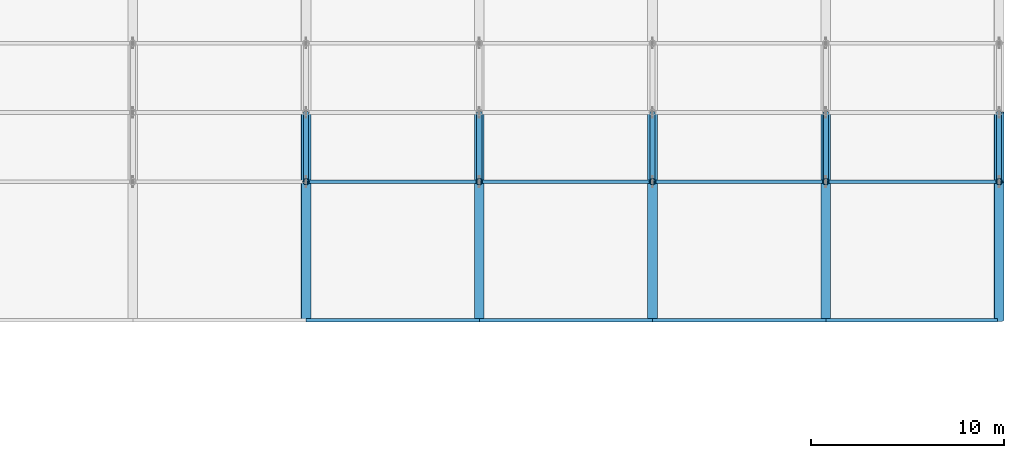
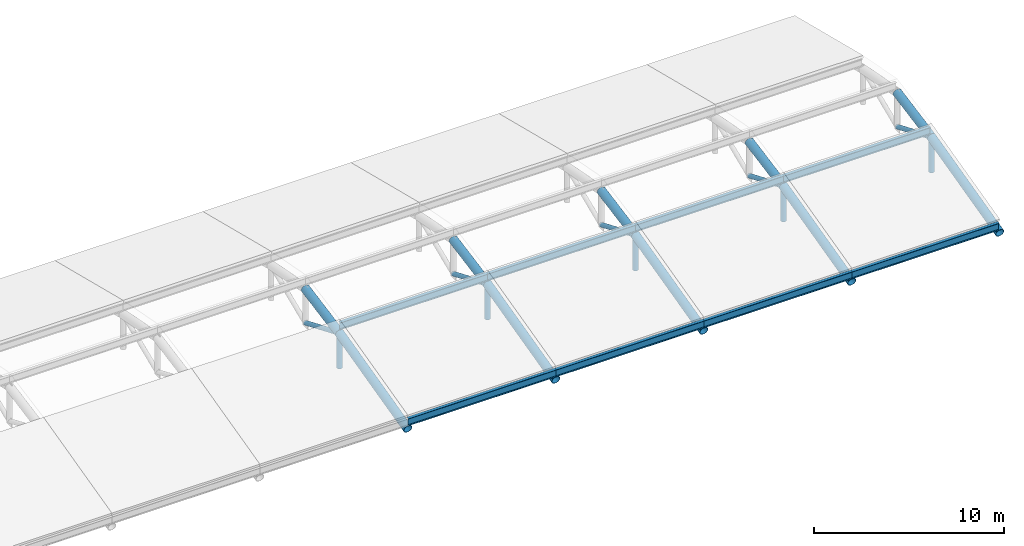
# One storey, part 38 of 52: 28 members.
"""IFC4 building model written with IfcOpenShell, lengths in metres."""

from ifc_helpers import new_model, si_unit, direction, frame, origin, origin_2d, place, context, subcontext, project, spatial, hollow_circle, i_section, extrude, material, material_profile, profile_set, type_object, element, save


model = new_model("IFC4")

# Units and contexts
model_context = context("Model", 3, precision=1e-05, world=origin(), true_north=direction((0.0, 1.0)))
body_context = subcontext(model_context, "Body", "Model", "MODEL_VIEW")
ifc_project = project(units=[si_unit("LENGTHUNIT", "METRE"), si_unit("AREAUNIT", "SQUARE_METRE"), si_unit("VOLUMEUNIT", "CUBIC_METRE"), si_unit("PLANEANGLEUNIT", "RADIAN"), si_unit("MASSUNIT", "GRAM", prefix="KILO")], contexts=[model_context])

# Site, building, storey
site_placement = place(None, origin())
site = spatial("IfcSite", under=ifc_project, at=site_placement, CompositionType="ELEMENT")
building_placement = place(site_placement, origin())
building = spatial("IfcBuilding", under=site, at=building_placement, Name="Celestram Park Convention Centre", CompositionType="ELEMENT")
storey_placement = place(building_placement, frame((0.0, 0.0, 24.300048828125)))
storey = spatial("IfcBuildingStorey", under=building, at=storey_placement, Name="L05", CompositionType="ELEMENT", Elevation=24.300048828125)

# Members
ifc_material_1 = material(Name="Steel ASTM A500 Grade C", Category="steel")
ifc_material_profile_1 = material_profile(ifc_material_1, hollow_circle(Radius=0.136474609375, WallThickness=0.010009765625, at=origin_2d()), Name="CHS273X10")
ifc_profile_set_1 = profile_set([ifc_material_profile_1], Name="Steel ASTM A500 Grade C")
member_type_1 = type_object("IfcMemberType", Name="STR-BRC-CHS273", PredefinedType="BRACE", material=ifc_profile_set_1)
for number, where, z_axis, x_axis, name in (
    (1, (180.0, 136.800048828125, 1.7294921875), (0.0, 0.921644787472, -0.388034645007), (-1.0, 0.0, 0.0), "V2 arch web diagonal"),
    (2, (189.0, 136.800048828125, 1.7294921875), (0.0, 0.921644787472, -0.388034645007), (-1.0, 0.0, 0.0), "V2 arch web diagonal"),
    (3, (198.0, 136.800048828125, 1.7294921875), (0.0, 0.921644787472, -0.388034645007), (-1.0, 0.0, 0.0), "V2 arch web diagonal"),
    (4, (207.0, 136.800048828125, 1.7294921875), (0.0, 0.921644787472, -0.388034645007), (-1.0, 0.0, 0.0), "V2 arch web diagonal"),
    (5, (216.0, 136.800048828125, 1.7294921875), (0.0, 0.921644787472, -0.388034645007), (-1.0, 0.0, 0.0), "V2 arch web diagonal"),
):
    element("IfcMember", number, at=place(storey_placement, frame(where, z_axis=z_axis, x_axis=x_axis)), inside=storey, type_object=member_type_1, Name=name, PredefinedType="BRACE", context=body_context, shape_type="SweptSolid", body=[
        extrude(hollow_circle(Radius=0.136474609375, WallThickness=0.010009765625, at=origin_2d()), origin(), (0.0, 0.0, 1.0), 3.906005859375),
    ])
ifc_material_profile_2 = material_profile(ifc_material_1, hollow_circle(Radius=0.25390625, WallThickness=0.01611328125, at=origin_2d()), Name="CHS508X16")
ifc_profile_set_2 = profile_set([ifc_material_profile_2], Name="Steel ASTM A500 Grade C")
member_type_2 = type_object("IfcMemberType", Name="STR-CHD-CHS508", PredefinedType="CHORD", material=ifc_profile_set_2)
member_1_placement = place(storey_placement, frame((180.0, 129.60009765625, -0.0693359375), z_axis=(0.0, 0.970179256757, 0.242388551212), x_axis=(-1.0, 0.0, 0.0)))
element("IfcMember", 6, at=member_1_placement, inside=storey, type_object=member_type_2, Name="V2 arch top chord", PredefinedType="CHORD", context=body_context, shape_type="SweptSolid", body=[
    extrude(hollow_circle(Radius=0.25390625, WallThickness=0.01611328125, at=origin_2d()), origin(), (0.0, 0.0, 1.0), 7.421142578125),
])
member_2_placement = place(storey_placement, frame((180.0, 136.800048828125, 1.7294921875), z_axis=(0.0, 0.982394505455, 0.186818188762), x_axis=(-1.0, 0.0, 0.0)))
element("IfcMember", 7, at=member_2_placement, inside=storey, type_object=member_type_2, Name="V2 arch top chord", PredefinedType="CHORD", context=body_context, shape_type="SweptSolid", body=[
    extrude(hollow_circle(Radius=0.25390625, WallThickness=0.01611328125, at=origin_2d()), origin(), (0.0, 0.0, 1.0), 3.664306640625),
])
member_3_placement = place(storey_placement, frame((189.0, 129.60009765625, -0.0693359375), z_axis=(0.0, 0.970179256757, 0.242388551212), x_axis=(-1.0, 0.0, 0.0)))
element("IfcMember", 8, at=member_3_placement, inside=storey, type_object=member_type_2, Name="V2 arch top chord", PredefinedType="CHORD", context=body_context, shape_type="SweptSolid", body=[
    extrude(hollow_circle(Radius=0.25390625, WallThickness=0.01611328125, at=origin_2d()), origin(), (0.0, 0.0, 1.0), 7.421142578125),
])
member_4_placement = place(storey_placement, frame((189.0, 136.800048828125, 1.7294921875), z_axis=(0.0, 0.982394505455, 0.186818188762), x_axis=(-1.0, 0.0, 0.0)))
element("IfcMember", 9, at=member_4_placement, inside=storey, type_object=member_type_2, Name="V2 arch top chord", PredefinedType="CHORD", context=body_context, shape_type="SweptSolid", body=[
    extrude(hollow_circle(Radius=0.25390625, WallThickness=0.01611328125, at=origin_2d()), origin(), (0.0, 0.0, 1.0), 3.664306640625),
])
member_5_placement = place(storey_placement, frame((198.0, 129.60009765625, -0.0693359375), z_axis=(0.0, 0.970179256757, 0.242388551212), x_axis=(-1.0, 0.0, 0.0)))
element("IfcMember", 10, at=member_5_placement, inside=storey, type_object=member_type_2, Name="V2 arch top chord", PredefinedType="CHORD", context=body_context, shape_type="SweptSolid", body=[
    extrude(hollow_circle(Radius=0.25390625, WallThickness=0.01611328125, at=origin_2d()), origin(), (0.0, 0.0, 1.0), 7.421142578125),
])
member_6_placement = place(storey_placement, frame((198.0, 136.800048828125, 1.7294921875), z_axis=(0.0, 0.982394505455, 0.186818188762), x_axis=(-1.0, 0.0, 0.0)))
element("IfcMember", 11, at=member_6_placement, inside=storey, type_object=member_type_2, Name="V2 arch top chord", PredefinedType="CHORD", context=body_context, shape_type="SweptSolid", body=[
    extrude(hollow_circle(Radius=0.25390625, WallThickness=0.01611328125, at=origin_2d()), origin(), (0.0, 0.0, 1.0), 3.664306640625),
])
member_7_placement = place(storey_placement, frame((207.0, 129.60009765625, -0.0693359375), z_axis=(0.0, 0.970179256757, 0.242388551212), x_axis=(-1.0, 0.0, 0.0)))
element("IfcMember", 12, at=member_7_placement, inside=storey, type_object=member_type_2, Name="V2 arch top chord", PredefinedType="CHORD", context=body_context, shape_type="SweptSolid", body=[
    extrude(hollow_circle(Radius=0.25390625, WallThickness=0.01611328125, at=origin_2d()), origin(), (0.0, 0.0, 1.0), 7.421142578125),
])
member_8_placement = place(storey_placement, frame((207.0, 136.800048828125, 1.7294921875), z_axis=(0.0, 0.982394505455, 0.186818188762), x_axis=(-1.0, 0.0, 0.0)))
element("IfcMember", 13, at=member_8_placement, inside=storey, type_object=member_type_2, Name="V2 arch top chord", PredefinedType="CHORD", context=body_context, shape_type="SweptSolid", body=[
    extrude(hollow_circle(Radius=0.25390625, WallThickness=0.01611328125, at=origin_2d()), origin(), (0.0, 0.0, 1.0), 3.664306640625),
])
member_9_placement = place(storey_placement, frame((216.0, 129.60009765625, -0.0693359375), z_axis=(0.0, 0.970179256757, 0.242388551212), x_axis=(-1.0, 0.0, 0.0)))
element("IfcMember", 14, at=member_9_placement, inside=storey, type_object=member_type_2, Name="V2 arch top chord", PredefinedType="CHORD", context=body_context, shape_type="SweptSolid", body=[
    extrude(hollow_circle(Radius=0.25390625, WallThickness=0.01611328125, at=origin_2d()), origin(), (0.0, 0.0, 1.0), 7.421142578125),
])
member_10_placement = place(storey_placement, frame((216.0, 136.800048828125, 1.7294921875), z_axis=(0.0, 0.982394505455, 0.186818188762), x_axis=(-1.0, 0.0, 0.0)))
element("IfcMember", 15, at=member_10_placement, inside=storey, type_object=member_type_2, Name="V2 arch top chord", PredefinedType="CHORD", context=body_context, shape_type="SweptSolid", body=[
    extrude(hollow_circle(Radius=0.25390625, WallThickness=0.01611328125, at=origin_2d()), origin(), (0.0, 0.0, 1.0), 3.664306640625),
])
ifc_material_2 = material(Name="Steel ASTM A992 Grade 50", Category="steel")
ifc_material_profile_3 = material_profile(ifc_material_2, i_section(OverallWidth=0.19091796875, OverallDepth=0.45703125, WebThickness=0.009033203125, FlangeThickness=0.014404296875, at=origin_2d()), Name="W18X50")
ifc_profile_set_3 = profile_set([ifc_material_profile_3], Name="Steel ASTM A992 Grade 50")
member_type_3 = type_object("IfcMemberType", Name="STR-RFT-W18X50", PredefinedType="RAFTER", material=ifc_profile_set_3)
for number, where, z_axis, x_axis, name in (
    (16, (180.0, 129.60009765625, 0.4130859375), (1.0, 0.0, 0.0), (0.0, 1.0, 0.0), "V2 roof purlin"),
    (17, (180.0, 136.800048828125, 2.2119140625), (1.0, 0.0, 0.0), (0.0, 1.0, 0.0), "V2 roof purlin"),
    (18, (189.0, 129.60009765625, 0.4130859375), (1.0, 0.0, 0.0), (0.0, 1.0, 0.0), "V2 roof purlin"),
    (19, (189.0, 136.800048828125, 2.2119140625), (1.0, 0.0, 0.0), (0.0, 1.0, 0.0), "V2 roof purlin"),
    (20, (198.0, 129.60009765625, 0.4130859375), (1.0, 0.0, 0.0), (0.0, 1.0, 0.0), "V2 roof purlin"),
    (21, (198.0, 136.800048828125, 2.2119140625), (1.0, 0.0, 0.0), (0.0, 1.0, 0.0), "V2 roof purlin"),
):
    element("IfcMember", number, at=place(storey_placement, frame(where, z_axis=z_axis, x_axis=x_axis)), inside=storey, type_object=member_type_3, Name=name, PredefinedType="RAFTER", context=body_context, shape_type="SweptSolid", body=[
        extrude(i_section(OverallWidth=0.19091796875, OverallDepth=0.45703125, WebThickness=0.009033203125, FlangeThickness=0.014404296875, at=origin_2d()), origin(), (0.0, 0.0, 1.0), 9.0),
    ])
for number, where, z_axis, x_axis, name in (
    (22, (207.0, 129.60009765625, 0.4130859375), (1.0, 0.0, 0.0), (0.0, 1.0, 0.0), "V2 roof purlin"),
    (23, (207.0, 136.800048828125, 2.2119140625), (1.0, 0.0, 0.0), (0.0, 1.0, 0.0), "V2 roof purlin"),
):
    element("IfcMember", number, at=place(storey_placement, frame(where, z_axis=z_axis, x_axis=x_axis)), inside=storey, type_object=member_type_3, Name=name, PredefinedType="RAFTER", context=body_context, shape_type="SweptSolid", body=[
        extrude(i_section(OverallWidth=0.19091796875, OverallDepth=0.45703125, WebThickness=0.009033203125, FlangeThickness=0.014404296875, at=origin_2d()), origin(), (0.0, 0.0, 1.0), 8.919921875),
    ])
ifc_material_profile_4 = material_profile(ifc_material_1, hollow_circle(Radius=0.162109375, WallThickness=0.011962890625, at=origin_2d()), Name="CHS324X12")
ifc_profile_set_4 = profile_set([ifc_material_profile_4], Name="Steel ASTM A500 Grade C")
member_type_4 = type_object("IfcMemberType", Name="STR-STR-CHS324", PredefinedType="STRUT", material=ifc_profile_set_4)
for number, where, z_axis, x_axis, name in (
    (24, (180.0, 136.800048828125, -0.470458984375), (0.0, 0.0, 1.0), (1.0, 0.0, 0.0), "V2 arch vertical strut"),
    (25, (189.0, 136.800048828125, -0.470458984375), (0.0, 0.0, 1.0), (1.0, 0.0, 0.0), "V2 arch vertical strut"),
    (26, (198.0, 136.800048828125, -0.470458984375), (0.0, 0.0, 1.0), (1.0, 0.0, 0.0), "V2 arch vertical strut"),
    (27, (207.0, 136.800048828125, -0.470458984375), (0.0, 0.0, 1.0), (1.0, 0.0, 0.0), "V2 arch vertical strut"),
    (28, (216.0, 136.800048828125, -0.470458984375), (0.0, 0.0, 1.0), (1.0, 0.0, 0.0), "V2 arch vertical strut"),
):
    element("IfcMember", number, at=place(storey_placement, frame(where, z_axis=z_axis, x_axis=x_axis)), inside=storey, type_object=member_type_4, Name=name, PredefinedType="STRUT", context=body_context, shape_type="SweptSolid", body=[
        extrude(hollow_circle(Radius=0.162109375, WallThickness=0.011962890625, at=origin_2d()), origin(), (0.0, 0.0, 1.0), 2.199951171875),
    ])

save(model, "model.ifc")
